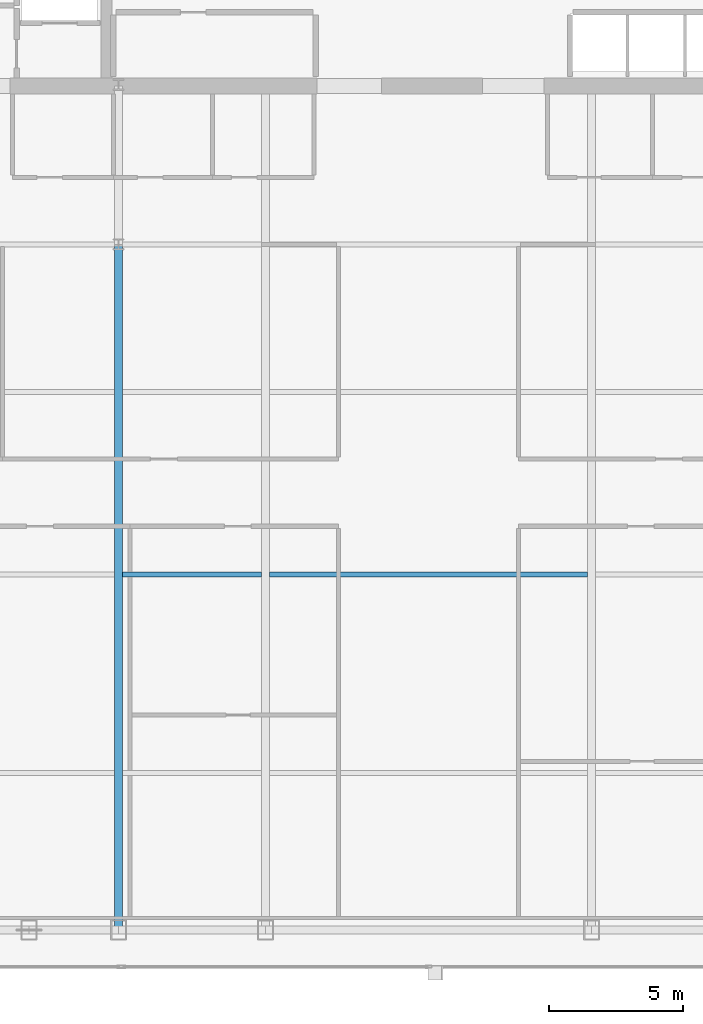
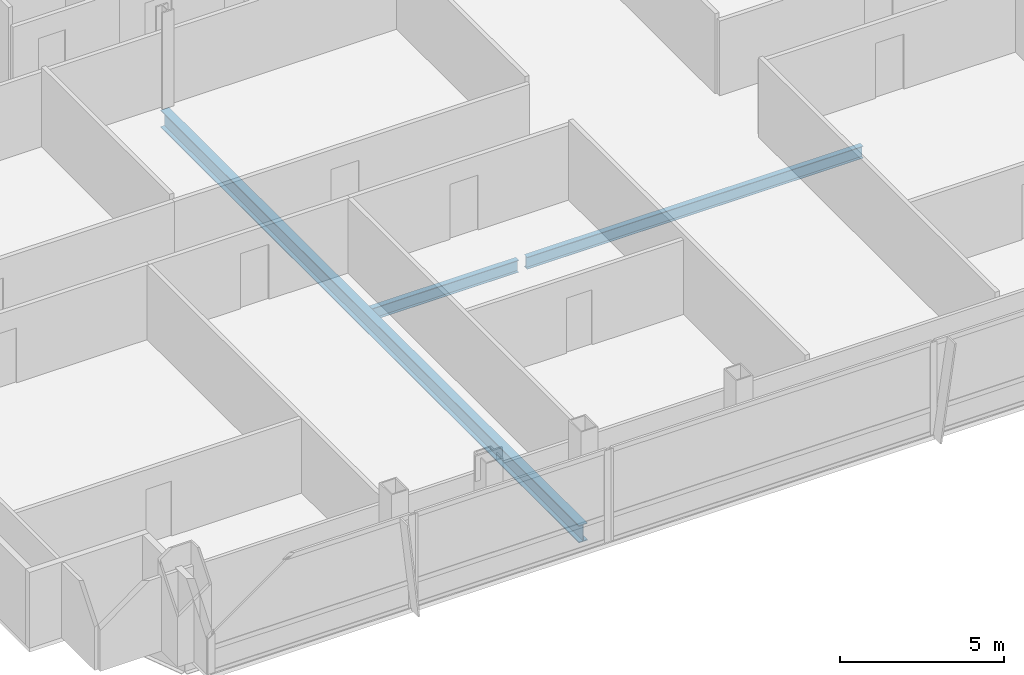
# One storey, part 9 of 32: 3 beams.
"""IFC4 building model written with IfcOpenShell, lengths in metres."""

import ifcopenshell
import ifcopenshell.guid

model = None  # the IFC model being written
_history = None  # IfcOwnerHistory: only IFC2X3 demands one
_inside = {}  # id of a spatial element -> (the spatial element, [elements in it])
_under = {}  # id of a project, library or spatial element -> (it, [spatial elements below it])
_declared = {}  # id of a project -> (the project, [libraries it declares])
_typed = {}  # id of a type object -> (the type object, [elements of that type])
_made_of = {}  # id of a material, layer set ... -> (it, [elements and type objects made of it])


def new_model(schema):
    """Start an empty IFC model of exactly this schema.

    Asked for "IFC4X3", IfcOpenShell would pick the latest addendum, in which some entities
    have other attributes; the version numbers below select the first issue.
    IFC2X3 requires an IfcOwnerHistory on every rooted entity: one is made here for all.
    """
    global model, _history
    if schema == "IFC4X3":
        model = ifcopenshell.file(schema_version=(4, 3, 0, 0))
    else:
        model = ifcopenshell.file(schema=schema)
    _inside.clear()
    _under.clear()
    _declared.clear()
    _typed.clear()
    _made_of.clear()
    _history = None
    if model.schema == "IFC2X3":
        org = make("IfcOrganization", Name="unknown")
        user = make(
            "IfcPersonAndOrganization",
            ThePerson=make("IfcPerson", FamilyName="unknown"),
            TheOrganization=org,
        )
        app = make(
            "IfcApplication",
            ApplicationDeveloper=org,
            Version="unknown",
            ApplicationFullName="unknown",
            ApplicationIdentifier="unknown",
        )
        _history = make(
            "IfcOwnerHistory",
            OwningUser=user,
            OwningApplication=app,
            ChangeAction="ADDED",
            CreationDate=0,
        )
    return model


def make(cls, **values):
    """One entity of the class cls with the attributes given. An attribute that is None is left unset."""
    return model.create_entity(
        cls, **{name: value for name, value in values.items() if value is not None}
    )


def rooted(cls, **values):
    """An entity with a GlobalId (a new one), such as an element, a storey or a relation."""
    return make(cls, GlobalId=ifcopenshell.guid.new(), OwnerHistory=_history, **values)


def si_unit(unit_type, name, prefix=None):
    """IfcSIUnit, for example si_unit("LENGTHUNIT", "METRE", prefix="MILLI")."""
    return make("IfcSIUnit", UnitType=unit_type, Prefix=prefix, Name=name)


def assignment(units):
    """IfcUnitAssignment: the units of a project."""
    return None if units is None else make("IfcUnitAssignment", Units=units)


def point(xyz):
    """IfcCartesianPoint."""
    return None if xyz is None else make("IfcCartesianPoint", Coordinates=xyz)


def direction(xyz):
    """IfcDirection."""
    return None if xyz is None else make("IfcDirection", DirectionRatios=xyz)


def frame(location, z_axis=None, x_axis=None):
    """IfcAxis2Placement3D, a coordinate frame: its origin and axes. An axis left out is left unset."""
    return make(
        "IfcAxis2Placement3D",
        Location=point(location),
        Axis=direction(z_axis),
        RefDirection=direction(x_axis),
    )


def frame_2d(location, x_axis=None):
    """IfcAxis2Placement2D, a coordinate frame in the plane: its origin and x axis."""
    return make(
        "IfcAxis2Placement2D", Location=point(location), RefDirection=direction(x_axis)
    )


def origin():
    """The frame at (0, 0, 0) with its axes left unset."""
    return frame((0.0, 0.0, 0.0))


def origin_2d():
    """The frame at (0, 0) in the plane with its x axis left unset."""
    return frame_2d((0.0, 0.0))


def place(relative_to, where):
    """IfcLocalPlacement: puts the frame where relative to a parent placement (None: the world)."""
    return make(
        "IfcLocalPlacement", PlacementRelTo=relative_to, RelativePlacement=where
    )


def context(
    kind, dimensions, precision=None, world=None, true_north=None, identifier=None
):
    """IfcGeometricRepresentationContext, for example the 3D "Model" context."""
    return make(
        "IfcGeometricRepresentationContext",
        ContextIdentifier=identifier,
        ContextType=kind,
        CoordinateSpaceDimension=dimensions,
        Precision=precision,
        WorldCoordinateSystem=world,
        TrueNorth=true_north,
    )


def subcontext(parent, identifier, kind, view, scale=None):
    """IfcGeometricRepresentationSubContext, for example "Body" below "Model"."""
    return make(
        "IfcGeometricRepresentationSubContext",
        ContextIdentifier=identifier,
        ContextType=kind,
        ParentContext=parent,
        TargetScale=scale,
        TargetView=view,
    )


def project(units=None, contexts=None):
    """IfcProject with its units and contexts."""
    return rooted(
        "IfcProject",
        Name="project",
        RepresentationContexts=contexts,
        UnitsInContext=assignment(units),
    )


def spatial(cls, under=None, at=None, **own):
    """A site, building, storey or space (cls), placed at a placement, below another one or the project."""
    s = rooted(cls, ObjectPlacement=at, **own)
    if under is not None:
        _under.setdefault(under.id(), (under, []))[1].append(s)
    return s


def profile(cls, at=None, kind="AREA", **sizes):
    """A parametric profile (cls). Its sizes go by their IFC names, for example OverallWidth=200.0."""
    return make(cls, ProfileType=kind, Position=at, **sizes)


def i_section(**sizes):
    """IfcIShapeProfileDef."""
    return profile("IfcIShapeProfileDef", **sizes)


def extrude(swept, where, along, depth):
    """IfcExtrudedAreaSolid: the profile swept, set in the frame where, extruded along a direction by depth."""
    return make(
        "IfcExtrudedAreaSolid",
        SweptArea=swept,
        Position=where,
        ExtrudedDirection=direction(along),
        Depth=depth,
    )


def shape(context_of_items, identifier, shape_type, items):
    """IfcShapeRepresentation: the items that make up one representation, for example the "Body"."""
    return make(
        "IfcShapeRepresentation",
        ContextOfItems=context_of_items,
        RepresentationIdentifier=identifier,
        RepresentationType=shape_type,
        Items=items,
    )


def material(Name=None, Category=None):
    """IfcMaterial."""
    return make("IfcMaterial", Name=Name, Category=Category)


def material_profile(
    of_material, cross_section, Name=None, Category=None, Priority=None
):
    """IfcMaterialProfile: a cross section and its material."""
    return make(
        "IfcMaterialProfile",
        Name=Name,
        Material=of_material,
        Profile=cross_section,
        Priority=Priority,
        Category=Category,
    )


def profile_set(profiles, Name=None, composite=None):
    """IfcMaterialProfileSet."""
    return make(
        "IfcMaterialProfileSet",
        Name=Name,
        MaterialProfiles=profiles,
        CompositeProfile=composite,
    )


def made_of(thing, what):
    """Note that an element or type object is made of a material, layer set ...; save() writes the relation."""
    if what is not None:
        _made_of.setdefault(what.id(), (what, []))[1].append(thing)
    return thing


def type_object(cls, material=None, **own):
    """A type object (cls), such as IfcWallType, which elements share."""
    return made_of(rooted(cls, **own), material)


def element(
    cls,
    number,
    at=None,
    inside=None,
    cuts=None,
    type_object=None,
    material=None,
    context=None,
    identifier="Body",
    shape_type=None,
    held_by="IfcProductDefinitionShape",
    body=None,
    shapes=None,
    **own,
):
    """One element of the class cls, such as IfcWall. Its Tag is "e" and its number.

    at: its placement. inside: the storey or other place that contains it. cuts: it is an
    opening in that element (IfcRelVoidsElement). A single representation is given by context,
    identifier, shape_type and body (its items); several are given by shapes. held_by: the class
    of the entity that holds the representations. save() writes the other relations.
    """
    e = rooted(cls, Tag="e%d" % number, ObjectPlacement=at, **own)
    if body is not None:
        shapes = [shape(context, identifier, shape_type, body)]
    if shapes is not None:
        e.Representation = make(held_by, Representations=shapes)
    if inside is not None:
        _inside.setdefault(inside.id(), (inside, []))[1].append(e)
    if cuts is not None:
        rooted(
            "IfcRelVoidsElement", RelatingBuildingElement=cuts, RelatedOpeningElement=e
        )
    if type_object is not None:
        _typed.setdefault(type_object.id(), (type_object, []))[1].append(e)
    return made_of(e, material)


def aggregate(whole, parts):
    """IfcRelAggregates: a whole, such as a stair, and the parts it consists of."""
    return rooted("IfcRelAggregates", RelatingObject=whole, RelatedObjects=parts)


def save(model, path):
    """Write the relations noted so far, then the file.

    IfcRelAggregates (storeys below a building ...), IfcRelContainedInSpatialStructure (elements
    in a storey), IfcRelDefinesByType, IfcRelAssociatesMaterial and IfcRelDeclares: one each for
    every whole, place, type object, material and project.
    """
    for whole, parts in _under.values():
        aggregate(whole, parts)
    for where, things in _inside.values():
        rooted(
            "IfcRelContainedInSpatialStructure",
            RelatedElements=things,
            RelatingStructure=where,
        )
    for kind, things in _typed.values():
        rooted("IfcRelDefinesByType", RelatedObjects=things, RelatingType=kind)
    for what, things in _made_of.values():
        rooted("IfcRelAssociatesMaterial", RelatedObjects=things, RelatingMaterial=what)
    for by, libraries in _declared.values():
        rooted("IfcRelDeclares", RelatingContext=by, RelatedDefinitions=libraries)
    model.write(path)


model = new_model("IFC4")

# Units and contexts
model_context = context("Model", 3, precision=1e-05, world=origin(), true_north=direction((0.0, 1.0)))
body_context = subcontext(model_context, "Body", "Model", "MODEL_VIEW")
ifc_project = project(units=[si_unit("LENGTHUNIT", "METRE"), si_unit("AREAUNIT", "SQUARE_METRE"), si_unit("VOLUMEUNIT", "CUBIC_METRE"), si_unit("PLANEANGLEUNIT", "RADIAN"), si_unit("MASSUNIT", "GRAM", prefix="KILO")], contexts=[model_context])

# Site, building, storey
site_placement = place(None, origin())
site = spatial("IfcSite", under=ifc_project, at=site_placement, CompositionType="ELEMENT")
building_placement = place(site_placement, origin())
building = spatial("IfcBuilding", under=site, at=building_placement, Name="Khoronbel Lancet Exchange", CompositionType="ELEMENT")
storey_placement = place(building_placement, frame((0.0, 0.0, 228.199951171875)))
storey = spatial("IfcBuildingStorey", under=building, at=storey_placement, Name="L58", CompositionType="ELEMENT", Elevation=228.199951171875)

# Beams
ifc_material = material(Name="Steel S355", Category="steel")
ifc_material_profile_1 = material_profile(ifc_material, i_section(OverallWidth=0.300048828125, OverallDepth=0.64990234375, WebThickness=0.01611328125, FlangeThickness=0.031005859375, at=origin_2d()), Name="HEB 650")
ifc_profile_set_1 = profile_set([ifc_material_profile_1], Name="Steel S355")
beam_type_1 = type_object("IfcBeamType", Name="BM-BG4", PredefinedType="BEAM", material=ifc_profile_set_1)
beam_1_placement = place(storey_placement, frame((24.89990234375, 10.14990234375, -0.48486328125), z_axis=(0.0, 1.0, 0.0), x_axis=(-1.0, 0.0, 0.0)))
element("IfcBeam", 1, at=beam_1_placement, inside=storey, type_object=beam_type_1, Name="Level L58 south primary girder GS2", PredefinedType="BEAM", context=body_context, shape_type="SweptSolid", body=[
    extrude(i_section(OverallWidth=0.300048828125, OverallDepth=0.64990234375, WebThickness=0.01611328125, FlangeThickness=0.031005859375, at=origin_2d()), origin(), (0.0, 0.0, 1.0), 25.550048828125),
])
ifc_material_profile_2 = material_profile(ifc_material, i_section(OverallWidth=0.18994140625, OverallDepth=0.449951171875, WebThickness=0.009521484375, FlangeThickness=0.0146484375, at=origin_2d()), Name="IPE 450")
ifc_profile_set_2 = profile_set([ifc_material_profile_2], Name="Steel S355")
beam_type_2 = type_object("IfcBeamType", Name="BM-BJ4", PredefinedType="JOIST", material=ifc_profile_set_2)
beam_2_placement = place(storey_placement, frame((25.050048828125, 23.39990234375, -0.385009765625), z_axis=(1.0, 0.0, 0.0), x_axis=(0.0, 1.0, 0.0)))
element("IfcBeam", 2, at=beam_2_placement, inside=storey, type_object=beam_type_2, Name="Level L58 secondary composite joist J07", PredefinedType="JOIST", context=body_context, shape_type="SweptSolid", body=[
    extrude(i_section(OverallWidth=0.18994140625, OverallDepth=0.449951171875, WebThickness=0.009521484375, FlangeThickness=0.0146484375, at=origin_2d()), origin(), (0.0, 0.0, 1.0), 5.175048828125),
])
beam_3_placement = place(storey_placement, frame((30.52490234375, 23.39990234375, -0.385009765625), z_axis=(1.0, 0.0, 0.0), x_axis=(0.0, 1.0, 0.0)))
element("IfcBeam", 3, at=beam_3_placement, inside=storey, type_object=beam_type_2, Name="Level L58 secondary composite joist J08", PredefinedType="JOIST", context=body_context, shape_type="SweptSolid", body=[
    extrude(i_section(OverallWidth=0.18994140625, OverallDepth=0.449951171875, WebThickness=0.009521484375, FlangeThickness=0.0146484375, at=origin_2d()), origin(), (0.0, 0.0, 1.0), 11.85009765625),
])

save(model, "model.ifc")
